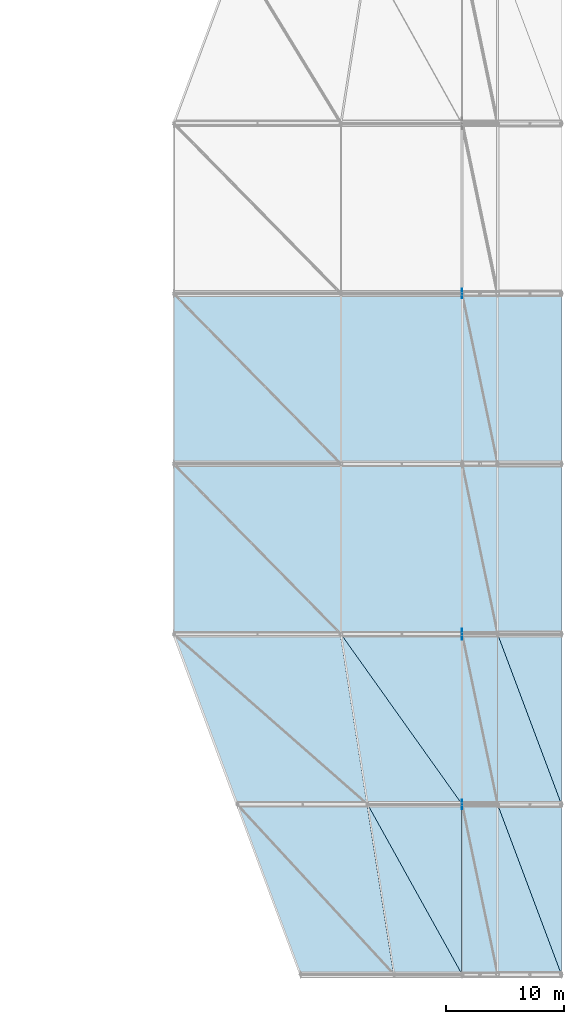
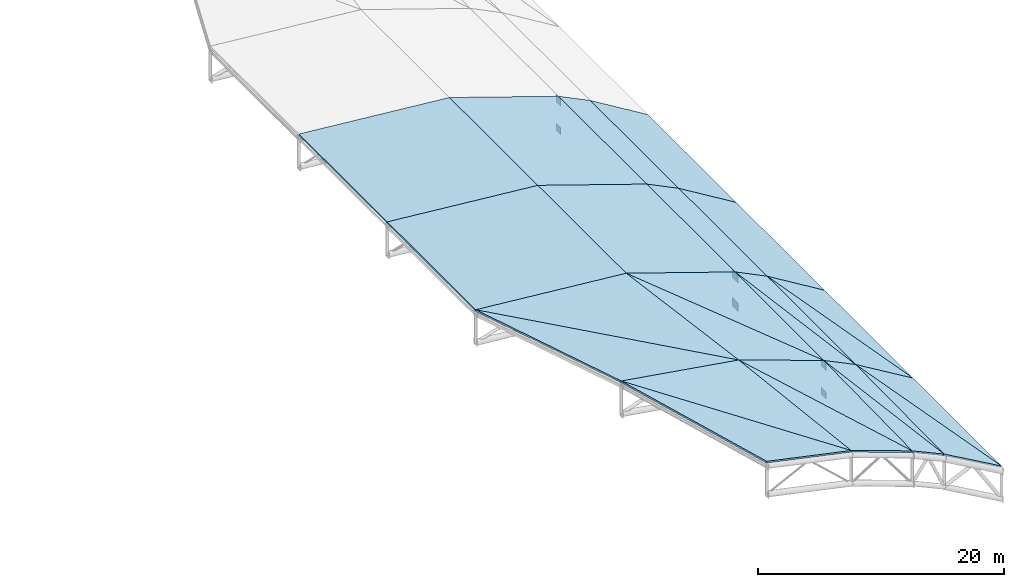
# One storey, part 28 of 36: 24 slabs, 6 plates.
"""IFC4 building model written with IfcOpenShell, lengths in metres."""

import ifcopenshell
import ifcopenshell.guid

model = None  # the IFC model being written
_history = None  # IfcOwnerHistory: only IFC2X3 demands one
_inside = {}  # id of a spatial element -> (the spatial element, [elements in it])
_under = {}  # id of a project, library or spatial element -> (it, [spatial elements below it])
_declared = {}  # id of a project -> (the project, [libraries it declares])
_typed = {}  # id of a type object -> (the type object, [elements of that type])
_made_of = {}  # id of a material, layer set ... -> (it, [elements and type objects made of it])


def new_model(schema):
    """Start an empty IFC model of exactly this schema.

    Asked for "IFC4X3", IfcOpenShell would pick the latest addendum, in which some entities
    have other attributes; the version numbers below select the first issue.
    IFC2X3 requires an IfcOwnerHistory on every rooted entity: one is made here for all.
    """
    global model, _history
    if schema == "IFC4X3":
        model = ifcopenshell.file(schema_version=(4, 3, 0, 0))
    else:
        model = ifcopenshell.file(schema=schema)
    _inside.clear()
    _under.clear()
    _declared.clear()
    _typed.clear()
    _made_of.clear()
    _history = None
    if model.schema == "IFC2X3":
        org = make("IfcOrganization", Name="unknown")
        user = make(
            "IfcPersonAndOrganization",
            ThePerson=make("IfcPerson", FamilyName="unknown"),
            TheOrganization=org,
        )
        app = make(
            "IfcApplication",
            ApplicationDeveloper=org,
            Version="unknown",
            ApplicationFullName="unknown",
            ApplicationIdentifier="unknown",
        )
        _history = make(
            "IfcOwnerHistory",
            OwningUser=user,
            OwningApplication=app,
            ChangeAction="ADDED",
            CreationDate=0,
        )
    return model


def make(cls, **values):
    """One entity of the class cls with the attributes given. An attribute that is None is left unset."""
    return model.create_entity(
        cls, **{name: value for name, value in values.items() if value is not None}
    )


def rooted(cls, **values):
    """An entity with a GlobalId (a new one), such as an element, a storey or a relation."""
    return make(cls, GlobalId=ifcopenshell.guid.new(), OwnerHistory=_history, **values)


def si_unit(unit_type, name, prefix=None):
    """IfcSIUnit, for example si_unit("LENGTHUNIT", "METRE", prefix="MILLI")."""
    return make("IfcSIUnit", UnitType=unit_type, Prefix=prefix, Name=name)


def assignment(units):
    """IfcUnitAssignment: the units of a project."""
    return None if units is None else make("IfcUnitAssignment", Units=units)


def point(xyz):
    """IfcCartesianPoint."""
    return None if xyz is None else make("IfcCartesianPoint", Coordinates=xyz)


def direction(xyz):
    """IfcDirection."""
    return None if xyz is None else make("IfcDirection", DirectionRatios=xyz)


def frame(location, z_axis=None, x_axis=None):
    """IfcAxis2Placement3D, a coordinate frame: its origin and axes. An axis left out is left unset."""
    return make(
        "IfcAxis2Placement3D",
        Location=point(location),
        Axis=direction(z_axis),
        RefDirection=direction(x_axis),
    )


def frame_2d(location, x_axis=None):
    """IfcAxis2Placement2D, a coordinate frame in the plane: its origin and x axis."""
    return make(
        "IfcAxis2Placement2D", Location=point(location), RefDirection=direction(x_axis)
    )


def origin():
    """The frame at (0, 0, 0) with its axes left unset."""
    return frame((0.0, 0.0, 0.0))


def origin_2d():
    """The frame at (0, 0) in the plane with its x axis left unset."""
    return frame_2d((0.0, 0.0))


def place(relative_to, where):
    """IfcLocalPlacement: puts the frame where relative to a parent placement (None: the world)."""
    return make(
        "IfcLocalPlacement", PlacementRelTo=relative_to, RelativePlacement=where
    )


def context(
    kind, dimensions, precision=None, world=None, true_north=None, identifier=None
):
    """IfcGeometricRepresentationContext, for example the 3D "Model" context."""
    return make(
        "IfcGeometricRepresentationContext",
        ContextIdentifier=identifier,
        ContextType=kind,
        CoordinateSpaceDimension=dimensions,
        Precision=precision,
        WorldCoordinateSystem=world,
        TrueNorth=true_north,
    )


def subcontext(parent, identifier, kind, view, scale=None):
    """IfcGeometricRepresentationSubContext, for example "Body" below "Model"."""
    return make(
        "IfcGeometricRepresentationSubContext",
        ContextIdentifier=identifier,
        ContextType=kind,
        ParentContext=parent,
        TargetScale=scale,
        TargetView=view,
    )


def project(units=None, contexts=None):
    """IfcProject with its units and contexts."""
    return rooted(
        "IfcProject",
        Name="project",
        RepresentationContexts=contexts,
        UnitsInContext=assignment(units),
    )


def spatial(cls, under=None, at=None, **own):
    """A site, building, storey or space (cls), placed at a placement, below another one or the project."""
    s = rooted(cls, ObjectPlacement=at, **own)
    if under is not None:
        _under.setdefault(under.id(), (under, []))[1].append(s)
    return s


def polyline(points):
    """IfcPolyline through the points."""
    return make("IfcPolyline", Points=[point(p) for p in points])


def profile(cls, at=None, kind="AREA", **sizes):
    """A parametric profile (cls). Its sizes go by their IFC names, for example OverallWidth=200.0."""
    return make(cls, ProfileType=kind, Position=at, **sizes)


def rectangle(**sizes):
    """IfcRectangleProfileDef."""
    return profile("IfcRectangleProfileDef", **sizes)


def outline(outer, holes=None, kind="AREA"):
    """IfcArbitraryClosedProfileDef: a profile drawn as a closed curve; with holes, ...WithVoids."""
    if holes is None:
        return make("IfcArbitraryClosedProfileDef", ProfileType=kind, OuterCurve=outer)
    return make(
        "IfcArbitraryProfileDefWithVoids",
        ProfileType=kind,
        OuterCurve=outer,
        InnerCurves=holes,
    )


def extrude(swept, where, along, depth):
    """IfcExtrudedAreaSolid: the profile swept, set in the frame where, extruded along a direction by depth."""
    return make(
        "IfcExtrudedAreaSolid",
        SweptArea=swept,
        Position=where,
        ExtrudedDirection=direction(along),
        Depth=depth,
    )


def shape(context_of_items, identifier, shape_type, items):
    """IfcShapeRepresentation: the items that make up one representation, for example the "Body"."""
    return make(
        "IfcShapeRepresentation",
        ContextOfItems=context_of_items,
        RepresentationIdentifier=identifier,
        RepresentationType=shape_type,
        Items=items,
    )


def material(Name=None, Category=None):
    """IfcMaterial."""
    return make("IfcMaterial", Name=Name, Category=Category)


def layer(
    of_material, thickness, ventilated=None, Name=None, Category=None, Priority=None
):
    """IfcMaterialLayer: one layer of a wall or slab, of a material (None: an air gap)."""
    return make(
        "IfcMaterialLayer",
        Material=of_material,
        LayerThickness=thickness,
        IsVentilated=ventilated,
        Name=Name,
        Category=Category,
        Priority=Priority,
    )


def layer_set(layers, Name=None):
    """IfcMaterialLayerSet."""
    return make("IfcMaterialLayerSet", MaterialLayers=layers, LayerSetName=Name)


def made_of(thing, what):
    """Note that an element or type object is made of a material, layer set ...; save() writes the relation."""
    if what is not None:
        _made_of.setdefault(what.id(), (what, []))[1].append(thing)
    return thing


def type_object(cls, material=None, **own):
    """A type object (cls), such as IfcWallType, which elements share."""
    return made_of(rooted(cls, **own), material)


def element(
    cls,
    number,
    at=None,
    inside=None,
    cuts=None,
    type_object=None,
    material=None,
    context=None,
    identifier="Body",
    shape_type=None,
    held_by="IfcProductDefinitionShape",
    body=None,
    shapes=None,
    **own,
):
    """One element of the class cls, such as IfcWall. Its Tag is "e" and its number.

    at: its placement. inside: the storey or other place that contains it. cuts: it is an
    opening in that element (IfcRelVoidsElement). A single representation is given by context,
    identifier, shape_type and body (its items); several are given by shapes. held_by: the class
    of the entity that holds the representations. save() writes the other relations.
    """
    e = rooted(cls, Tag="e%d" % number, ObjectPlacement=at, **own)
    if body is not None:
        shapes = [shape(context, identifier, shape_type, body)]
    if shapes is not None:
        e.Representation = make(held_by, Representations=shapes)
    if inside is not None:
        _inside.setdefault(inside.id(), (inside, []))[1].append(e)
    if cuts is not None:
        rooted(
            "IfcRelVoidsElement", RelatingBuildingElement=cuts, RelatedOpeningElement=e
        )
    if type_object is not None:
        _typed.setdefault(type_object.id(), (type_object, []))[1].append(e)
    return made_of(e, material)


def aggregate(whole, parts):
    """IfcRelAggregates: a whole, such as a stair, and the parts it consists of."""
    return rooted("IfcRelAggregates", RelatingObject=whole, RelatedObjects=parts)


def save(model, path):
    """Write the relations noted so far, then the file.

    IfcRelAggregates (storeys below a building ...), IfcRelContainedInSpatialStructure (elements
    in a storey), IfcRelDefinesByType, IfcRelAssociatesMaterial and IfcRelDeclares: one each for
    every whole, place, type object, material and project.
    """
    for whole, parts in _under.values():
        aggregate(whole, parts)
    for where, things in _inside.values():
        rooted(
            "IfcRelContainedInSpatialStructure",
            RelatedElements=things,
            RelatingStructure=where,
        )
    for kind, things in _typed.values():
        rooted("IfcRelDefinesByType", RelatedObjects=things, RelatingType=kind)
    for what, things in _made_of.values():
        rooted("IfcRelAssociatesMaterial", RelatedObjects=things, RelatingMaterial=what)
    for by, libraries in _declared.values():
        rooted("IfcRelDeclares", RelatingContext=by, RelatedDefinitions=libraries)
    model.write(path)


model = new_model("IFC4")

# Units and contexts
model_context = context("Model", 3, precision=1e-05, world=origin(), true_north=direction((0.0, 1.0)))
body_context = subcontext(model_context, "Body", "Model", "MODEL_VIEW")
ifc_project = project(units=[si_unit("LENGTHUNIT", "METRE"), si_unit("AREAUNIT", "SQUARE_METRE"), si_unit("VOLUMEUNIT", "CUBIC_METRE"), si_unit("PLANEANGLEUNIT", "RADIAN"), si_unit("MASSUNIT", "GRAM", prefix="KILO")], contexts=[model_context])

# Site, building, storey
site_placement = place(None, origin())
site = spatial("IfcSite", under=ifc_project, at=site_placement, CompositionType="ELEMENT")
building_placement = place(site_placement, origin())
building = spatial("IfcBuilding", under=site, at=building_placement, Name="Koshinbarg Plaza Stadium", CompositionType="ELEMENT")
storey_placement = place(building_placement, frame((0.0, 0.0, 34.199951171875)))
storey = spatial("IfcBuildingStorey", under=building, at=storey_placement, Name="RF", CompositionType="ELEMENT", Elevation=34.199951171875)

# Plates
ifc_material_1 = material(Name="Steel S355", Category="steel")
ifc_layer_1 = layer(ifc_material_1, 0.034912109375)
ifc_layer_set_1 = layer_set([ifc_layer_1], Name="Steel S355")
plate_type_1 = type_object("IfcPlateType", Name="PLT-GUS-02", PredefinedType="USERDEFINED", material=ifc_layer_set_1)
for number, where, z_axis, x_axis, name in (
    (1, (189.39990234375, 39.89990234375, 2.34716796875), (0.0, 0.0, 1.0), (1.0, 0.0, 0.0), "Roof truss node cap plate KN-03 ERB-02-3T"),
    (2, (189.39990234375, 39.89990234375, -0.453125), (0.0, 0.0, 1.0), (1.0, 0.0, 0.0), "Roof truss node cap plate KN-03 ERB-02-3B"),
    (3, (189.39990234375, 83.10009765625, 2.41015625), (0.0, 0.0, 1.0), (1.0, 0.0, 0.0), "Roof truss node cap plate KN-03 ERB-05-3T"),
    (4, (189.39990234375, 83.10009765625, -0.39013671875), (0.0, 0.0, 1.0), (1.0, 0.0, 0.0), "Roof truss node cap plate KN-03 ERB-05-3B"),
):
    element("IfcPlate", number, at=place(storey_placement, frame(where, z_axis=z_axis, x_axis=x_axis)), inside=storey, type_object=plate_type_1, Name=name, ObjectType="GUSSET_PLATE", PredefinedType="USERDEFINED", context=body_context, shape_type="SweptSolid", body=[
        extrude(rectangle(XDim=0.034912109375, YDim=0.800048828125, at=origin_2d()), origin(), (0.0, 0.0, 1.0), 0.699951171875),
    ])
ifc_layer_2 = layer(ifc_material_1, 0.0380859375)
ifc_layer_set_2 = layer_set([ifc_layer_2], Name="Steel S355")
plate_type_2 = type_object("IfcPlateType", Name="PLT-GUS-03", PredefinedType="USERDEFINED", material=ifc_layer_set_2)
for number, where, z_axis, x_axis, name in (
    (5, (189.39990234375, 54.300048828125, 2.35986328125), (0.0, 0.0, 1.0), (1.0, 0.0, 0.0), "Roof truss node cap plate KN-03 ERB-03-3T"),
    (6, (189.39990234375, 54.300048828125, -0.43994140625), (0.0, 0.0, 1.0), (1.0, 0.0, 0.0), "Roof truss node cap plate KN-03 ERB-03-3B"),
):
    element("IfcPlate", number, at=place(storey_placement, frame(where, z_axis=z_axis, x_axis=x_axis)), inside=storey, type_object=plate_type_2, Name=name, ObjectType="GUSSET_PLATE", PredefinedType="USERDEFINED", context=body_context, shape_type="SweptSolid", body=[
        extrude(rectangle(XDim=0.0380859375, YDim=0.949951171875, at=origin_2d()), origin(), (0.0, 0.0, 1.0), 0.800048828125),
    ])

# Slabs
ifc_material_2 = material(Name="Precast concrete C40/50", Category="concrete")
ifc_layer_3 = layer(ifc_material_2, 0.159912109375)
ifc_layer_set_3 = layer_set([ifc_layer_3], Name="Precast concrete C40/50")
slab_type = type_object("IfcSlabType", Name="SL-BARRELDECK-160", PredefinedType="ROOF", material=ifc_layer_set_3)
slab_1_placement = place(storey_placement, frame((197.800048828125, 25.5, -1.56005859375), z_axis=(0.494618873305, -0.010181306025, 0.869050350197), x_axis=(-0.869095396141, 0.0, 0.494644511145)))
element("IfcSlab", 7, at=slab_1_placement, inside=storey, type_object=slab_type, Name="Quarter-barrel stand roof deck east bay 1.1A", PredefinedType="ROOF", context=body_context, shape_type="SweptSolid", body=[
    extrude(outline(polyline([(0.0, 0.0), (6.213525590345546, -3.469446951953614e-18), (6.296972699037287, -14.400648741462302), (0.0, 0.0)])), origin(), (0.0, 0.0, -1.0), 0.159912109375),
])
slab_2_placement = place(storey_placement, frame((197.800048828125, 25.5, -1.56005859375), z_axis=(0.514740838237, 0.0, 0.857345828386), x_axis=(-0.343581845871, 0.916187188984, 0.206282694207)))
element("IfcSlab", 8, at=slab_2_placement, inside=storey, type_object=slab_type, Name="Quarter-barrel stand roof deck east bay 1.1B", PredefinedType="ROOF", context=body_context, shape_type="SweptSolid", body=[
    extrude(outline(polyline([(0.0, 0.0), (15.717205519665407, -1.1102230246251565e-15), (13.19300604996804, -5.7707693486261835), (0.0, 0.0)])), origin(), (0.0, 0.0, -1.0), 0.159912109375),
])
slab_3_placement = place(storey_placement, frame((192.39990234375, 25.5, 1.513427734375), z_axis=(0.416174661504, -0.015799330407, 0.909147420544), x_axis=(-0.909260911954, 0.0, 0.416226613748)))
element("IfcSlab", 9, at=slab_3_placement, inside=storey, type_object=slab_type, Name="Quarter-barrel stand roof deck east bay 1.2A", PredefinedType="ROOF", context=body_context, shape_type="SweptSolid", body=[
    extrude(outline(polyline([(0.0, 0.0), (3.2993830049868933, 0.0), (3.403541276249637, -14.401699923758356), (0.0, 0.0)])), origin(), (0.0, 0.0, -1.0), 0.159912109375),
])
slab_4_placement = place(storey_placement, frame((192.39990234375, 25.5, 1.513427734375), z_axis=(0.436319330765, -0.010540733283, 0.899730145401), x_axis=(-0.20272442848, 0.973070657603, 0.109710078889)))
element("IfcSlab", 10, at=slab_4_placement, inside=storey, type_object=slab_type, Name="Quarter-barrel stand roof deck east bay 1.2B", PredefinedType="ROOF", context=body_context, shape_type="SweptSolid", body=[
    extrude(outline(polyline([(0.0, 0.0), (14.798413898560765, 1.1102230246251565e-16), (14.03063066192315, -3.244541697009102), (0.0, 0.0)])), origin(), (0.0, 0.0, -1.0), 0.159912109375),
])
slab_5_placement = place(storey_placement, frame((189.39990234375, 25.5, 2.88671875), z_axis=(0.335617180048, -0.016164218455, 0.941859770082), x_axis=(-0.941982839682, 0.0, 0.335661033999)))
element("IfcSlab", 11, at=slab_5_placement, inside=storey, type_object=slab_type, Name="Quarter-barrel stand roof deck east bay 1.3A", PredefinedType="ROOF", context=body_context, shape_type="SweptSolid", body=[
    extrude(outline(polyline([(0.0, 0.0), (6.0922230103351325, 3.469446951953614e-18), (8.568678321311097, -14.401783929817995), (0.0, 0.0)])), origin(), (0.0, 0.0, -1.0), 0.159912109375),
])
slab_6_placement = place(storey_placement, frame((189.39990234375, 25.5, 2.88671875), z_axis=(0.335290554203, -0.016369771426, 0.941972544635), x_axis=(-0.476987981254, 0.859280569021, 0.184714291387)))
element("IfcSlab", 12, at=slab_6_placement, inside=storey, type_object=slab_type, Name="Quarter-barrel stand roof deck east bay 1.3B", PredefinedType="ROOF", context=body_context, shape_type="SweptSolid", body=[
    extrude(outline(polyline([(0.0, 0.0), (16.758091434744912, 1.1102230246251565e-15), (12.419779948890689, -7.291699092844321), (0.0, 0.0)])), origin(), (0.0, 0.0, -1.0), 0.159912109375),
])
slab_7_placement = place(storey_placement, frame((183.6611328125, 25.5, 4.931640625), z_axis=(0.20918538409, 0.001088164807, 0.977875396449), x_axis=(-0.977875975402, 0.0, 0.209185507939)))
element("IfcSlab", 13, at=slab_7_placement, inside=storey, type_object=slab_type, Name="Quarter-barrel stand roof deck east bay 1.4A", PredefinedType="ROOF", context=body_context, shape_type="SweptSolid", body=[
    extrude(outline(polyline([(0.0, 0.0), (8.104349659338599, 2.168404344971009e-19), (13.590614144924304, -14.399910869238811), (0.0, 0.0)])), origin(), (0.0, 0.0, -1.0), 0.159912109375),
])
slab_8_placement = place(storey_placement, frame((183.6611328125, 25.5, 4.931640625), z_axis=(0.158767093172, -0.047088472868, 0.986192519668), x_axis=(-0.671355358149, 0.727247180561, 0.142805887309)))
element("IfcSlab", 14, at=slab_8_placement, inside=storey, type_object=slab_type, Name="Quarter-barrel stand roof deck east bay 1.4B", PredefinedType="ROOF", context=body_context, shape_type="SweptSolid", body=[
    extrude(outline(polyline([(0.0, 0.0), (19.800561251596854, -8.049116928532385e-16), (12.135975016955948, -8.140167176185395), (0.0, 0.0)])), origin(), (0.0, 0.0, -1.0), 0.159912109375),
])
slab_9_placement = place(storey_placement, frame((197.800048828125, 39.89990234375, -1.56005859375), z_axis=(0.514739172943, -0.002543699618, 0.857343054693), x_axis=(-0.857345828386, 0.0, 0.514740838237)))
element("IfcSlab", 15, at=slab_9_placement, inside=storey, type_object=slab_type, Name="Quarter-barrel stand roof deck east bay 2.1A", PredefinedType="ROOF", context=body_context, shape_type="SweptSolid", body=[
    extrude(outline(polyline([(0.0, 0.0), (6.298679372524365, -1.734723475976807e-18), (6.320671473767406, -14.400193072010767), (0.0, 0.0)])), origin(), (0.0, 0.0, -1.0), 0.159912109375),
])
slab_10_placement = place(storey_placement, frame((197.800048828125, 39.89990234375, -1.56005859375), z_axis=(0.519700630377, 0.0, 0.854348438745), x_axis=(-0.343383197284, 0.915673001736, 0.208880189857)))
element("IfcSlab", 16, at=slab_10_placement, inside=storey, type_object=slab_type, Name="Quarter-barrel stand roof deck east bay 2.1B", PredefinedType="ROOF", context=body_context, shape_type="SweptSolid", body=[
    extrude(outline(polyline([(0.0, 0.0), (15.726297987463035, -2.220446049250313e-15), (13.18582535678568, -5.787765409189067), (0.0, 0.0)])), origin(), (0.0, 0.0, -1.0), 0.159912109375),
])
slab_11_placement = place(storey_placement, frame((192.39990234375, 39.89990234375, 1.68212890625), z_axis=(0.436340192367, -0.003935735319, 0.899773163921), x_axis=(-0.899780132751, 0.0, 0.436343571864)))
element("IfcSlab", 17, at=slab_11_placement, inside=storey, type_object=slab_type, Name="Quarter-barrel stand roof deck east bay 2.2A", PredefinedType="ROOF", context=body_context, shape_type="SweptSolid", body=[
    extrude(outline(polyline([(0.0, 0.0), (3.334147855463587, 0.0), (3.3616323870897733, -14.400258014895211), (0.0, 0.0)])), origin(), (0.0, 0.0, -1.0), 0.159912109375),
])
slab_12_placement = place(storey_placement, frame((192.39990234375, 39.89990234375, 1.68212890625), z_axis=(0.441242895286, -0.002662498662, 0.897383763203), x_axis=(-0.202875047794, 0.973810135422, 0.102642754894)))
element("IfcSlab", 18, at=slab_12_placement, inside=storey, type_object=slab_type, Name="Quarter-barrel stand roof deck east bay 2.2B", PredefinedType="ROOF", context=body_context, shape_type="SweptSolid", body=[
    extrude(outline(polyline([(0.0, 0.0), (14.787427200209125, -6.661338147750939e-16), (14.02739396965036, -3.25549728673219), (0.0, 0.0)])), origin(), (0.0, 0.0, -1.0), 0.159912109375),
])
slab_13_placement = place(storey_placement, frame((189.39990234375, 39.89990234375, 3.136962890625), z_axis=(0.335324501126, 0.008094495657, 0.942067915856), x_axis=(-0.942098779922, 0.0, 0.335335487041)))
element("IfcSlab", 19, at=slab_13_placement, inside=storey, type_object=slab_type, Name="Quarter-barrel stand roof deck east bay 2.3A", PredefinedType="ROOF", context=body_context, shape_type="SweptSolid", body=[
    extrude(outline(polyline([(0.0, 0.0), (8.484681620949686, 3.469446951953614e-18), (10.836139821090285, -14.400618262549054), (0.0, 0.0)])), origin(), (0.0, 0.0, -1.0), 0.159912109375),
])
slab_14_placement = place(storey_placement, frame((189.39990234375, 39.89990234375, 3.136962890625), z_axis=(0.31996712344, -0.004144147506, 0.947419582845), x_axis=(-0.568621040033, 0.799022627856, 0.195532485809)))
element("IfcSlab", 20, at=slab_14_placement, inside=storey, type_object=slab_type, Name="Quarter-barrel stand roof deck east bay 2.3B", PredefinedType="ROOF", context=body_context, shape_type="SweptSolid", body=[
    extrude(outline(polyline([(0.0, 0.0), (18.022201102137327, 6.661338147750939e-16), (11.518359140663053, -8.642660990790768), (0.0, 0.0)])), origin(), (0.0, 0.0, -1.0), 0.159912109375),
])
slab_15_placement = place(storey_placement, frame((181.406494140625, 39.89990234375, 5.982177734375), z_axis=(0.158791979006, 0.043640649673, 0.986347099707), x_axis=(-0.987287695583, 0.0, 0.158943405497)))
element("IfcSlab", 21, at=slab_15_placement, inside=storey, type_object=slab_type, Name="Quarter-barrel stand roof deck east bay 2.4A", PredefinedType="ROOF", context=body_context, shape_type="SweptSolid", body=[
    extrude(outline(polyline([(0.0, 0.0), (11.180706766769843, -1.3877787807814457e-17), (16.51647628090289, -14.413878687169351), (0.0, 0.0)])), origin(), (0.0, 0.0, -1.0), 0.159912109375),
])
slab_16_placement = place(storey_placement, frame((181.406494140625, 39.89990234375, 5.982177734375), z_axis=(0.093199969149, -0.032311570204, 0.995122971387), x_axis=(-0.748418889634, 0.65689485822, 0.091423798232)))
element("IfcSlab", 22, at=slab_16_placement, inside=storey, type_object=slab_type, Name="Quarter-barrel stand roof deck east bay 2.4B", PredefinedType="ROOF", context=body_context, shape_type="SweptSolid", body=[
    extrude(outline(polyline([(0.0, 0.0), (21.921539351652807, 1.4432899320127035e-15), (11.208663966887627, -9.34200268079948), (0.0, 0.0)])), origin(), (0.0, 0.0, -1.0), 0.159912109375),
])
slab_17_placement = place(storey_placement, frame((197.800048828125, 54.300048828125, -1.56005859375), z_axis=(0.519700630377, 0.0, 0.854348438745), x_axis=(-0.854348438745, 0.0, 0.519700630377)))
element("IfcSlab", 23, at=slab_17_placement, inside=storey, type_object=slab_type, Name="Quarter-barrel stand roof deck east bay 3.1", PredefinedType="ROOF", context=body_context, shape_type="SweptSolid", body=[
    extrude(outline(polyline([(0.0, 0.0), (6.3207776118944565, 0.0), (6.3207776118944565, -14.39990234375), (0.0, -14.39990234375), (0.0, 0.0)])), origin(), (0.0, 0.0, -1.0), 0.159912109375),
])
slab_18_placement = place(storey_placement, frame((192.39990234375, 54.300048828125, 1.724853515625), z_axis=(0.441244459257, 0.0, 0.897386943952), x_axis=(-0.897386943952, 0.0, 0.441244459257)))
element("IfcSlab", 24, at=slab_18_placement, inside=storey, type_object=slab_type, Name="Quarter-barrel stand roof deck east bay 3.2", PredefinedType="ROOF", context=body_context, shape_type="SweptSolid", body=[
    extrude(outline(polyline([(0.0, 0.0), (3.343039499538443, 0.0), (3.343039499538443, -14.399902343750004), (0.0, -14.399902343750004), (0.0, 0.0)])), origin(), (0.0, 0.0, -1.0), 0.159912109375),
])
slab_19_placement = place(storey_placement, frame((189.39990234375, 54.300048828125, 3.199951171875), z_axis=(0.319969871027, 0.0, 0.947427718422), x_axis=(-0.947427718422, 0.0, 0.319969871027)))
element("IfcSlab", 25, at=slab_19_placement, inside=storey, type_object=slab_type, Name="Quarter-barrel stand roof deck east bay 3.3", PredefinedType="ROOF", context=body_context, shape_type="SweptSolid", body=[
    extrude(outline(polyline([(0.0, 0.0), (10.816448088978655, 0.0), (10.816448088978655, -14.399902343750004), (0.0, -14.399902343750004), (0.0, 0.0)])), origin(), (0.0, 0.0, -1.0), 0.159912109375),
])
slab_20_placement = place(storey_placement, frame((179.152099609375, 54.300048828125, 6.660888671875), z_axis=(0.093248659413, 0.0, 0.995642851387), x_axis=(-0.995642851387, 0.0, 0.093248659413)))
element("IfcSlab", 26, at=slab_20_placement, inside=storey, type_object=slab_type, Name="Quarter-barrel stand roof deck east bay 3.4", PredefinedType="ROOF", context=body_context, shape_type="SweptSolid", body=[
    extrude(outline(polyline([(0.0, 0.0), (14.21403226032544, 0.0), (14.21403226032544, -14.399902343750004), (0.0, -14.399902343750004), (0.0, 0.0)])), origin(), (0.0, 0.0, -1.0), 0.159912109375),
])
slab_21_placement = place(storey_placement, frame((197.800048828125, 68.699951171875, -1.56005859375), z_axis=(0.519700630377, 0.0, 0.854348438745), x_axis=(-0.854348438745, 0.0, 0.519700630377)))
element("IfcSlab", 27, at=slab_21_placement, inside=storey, type_object=slab_type, Name="Quarter-barrel stand roof deck east bay 4.1", PredefinedType="ROOF", context=body_context, shape_type="SweptSolid", body=[
    extrude(outline(polyline([(0.0, 0.0), (6.3207776118944565, 0.0), (6.3207776118944565, -14.400146484375), (0.0, -14.400146484375), (0.0, 0.0)])), origin(), (0.0, 0.0, -1.0), 0.159912109375),
])
slab_22_placement = place(storey_placement, frame((192.39990234375, 68.699951171875, 1.724853515625), z_axis=(0.441244459257, 0.0, 0.897386943952), x_axis=(-0.897386943952, 0.0, 0.441244459257)))
element("IfcSlab", 28, at=slab_22_placement, inside=storey, type_object=slab_type, Name="Quarter-barrel stand roof deck east bay 4.2", PredefinedType="ROOF", context=body_context, shape_type="SweptSolid", body=[
    extrude(outline(polyline([(0.0, 0.0), (3.343039499538443, 0.0), (3.343039499538443, -14.400146484375004), (0.0, -14.400146484375004), (0.0, 0.0)])), origin(), (0.0, 0.0, -1.0), 0.159912109375),
])
slab_23_placement = place(storey_placement, frame((189.39990234375, 68.699951171875, 3.199951171875), z_axis=(0.319969871027, 0.0, 0.947427718422), x_axis=(-0.947427718422, 0.0, 0.319969871027)))
element("IfcSlab", 29, at=slab_23_placement, inside=storey, type_object=slab_type, Name="Quarter-barrel stand roof deck east bay 4.3", PredefinedType="ROOF", context=body_context, shape_type="SweptSolid", body=[
    extrude(outline(polyline([(0.0, 0.0), (10.816448088978655, 0.0), (10.816448088978655, -14.400146484375004), (0.0, -14.400146484375004), (0.0, 0.0)])), origin(), (0.0, 0.0, -1.0), 0.159912109375),
])
slab_24_placement = place(storey_placement, frame((179.152099609375, 68.699951171875, 6.660888671875), z_axis=(0.093248659413, 0.0, 0.995642851387), x_axis=(-0.995642851387, 0.0, 0.093248659413)))
element("IfcSlab", 30, at=slab_24_placement, inside=storey, type_object=slab_type, Name="Quarter-barrel stand roof deck east bay 4.4", PredefinedType="ROOF", context=body_context, shape_type="SweptSolid", body=[
    extrude(outline(polyline([(0.0, 0.0), (14.21403226032544, 0.0), (14.21403226032544, -14.400146484375), (0.0, -14.400146484375), (0.0, 0.0)])), origin(), (0.0, 0.0, -1.0), 0.159912109375),
])

save(model, "model.ifc")
